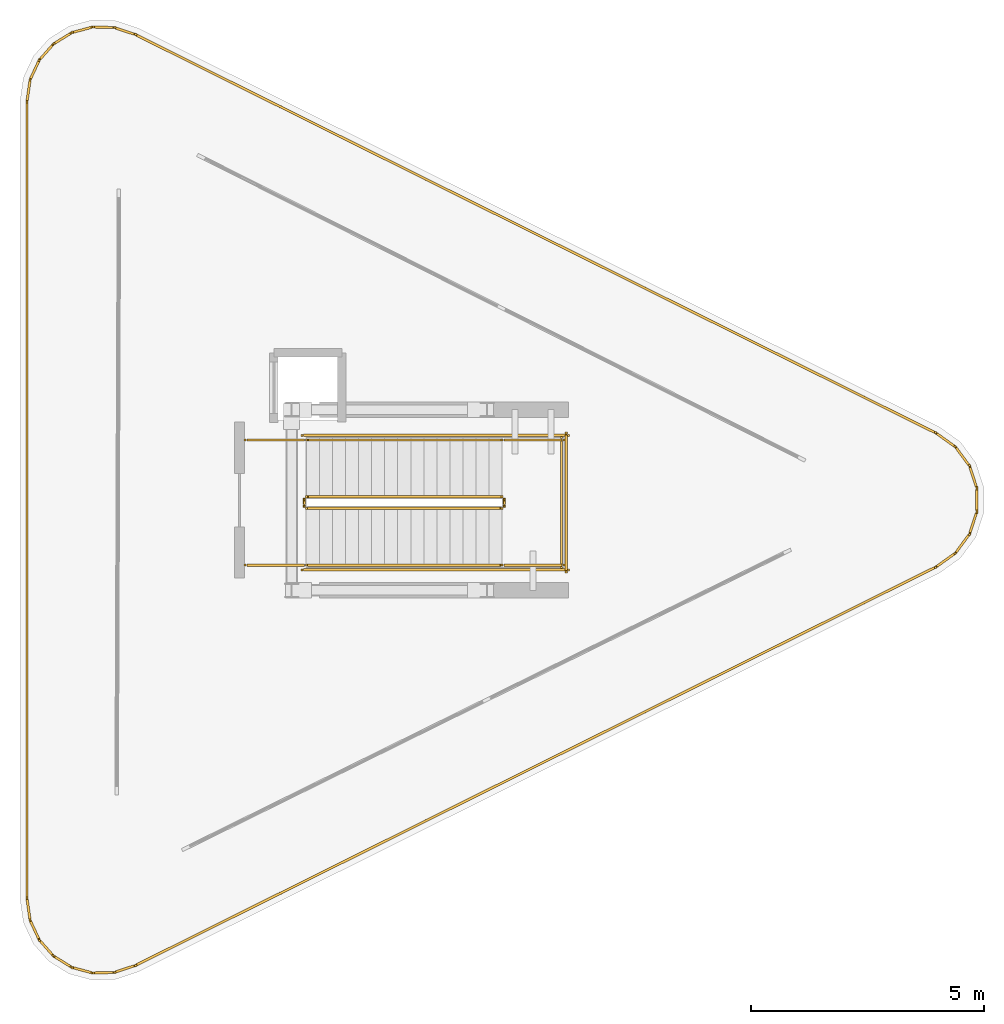
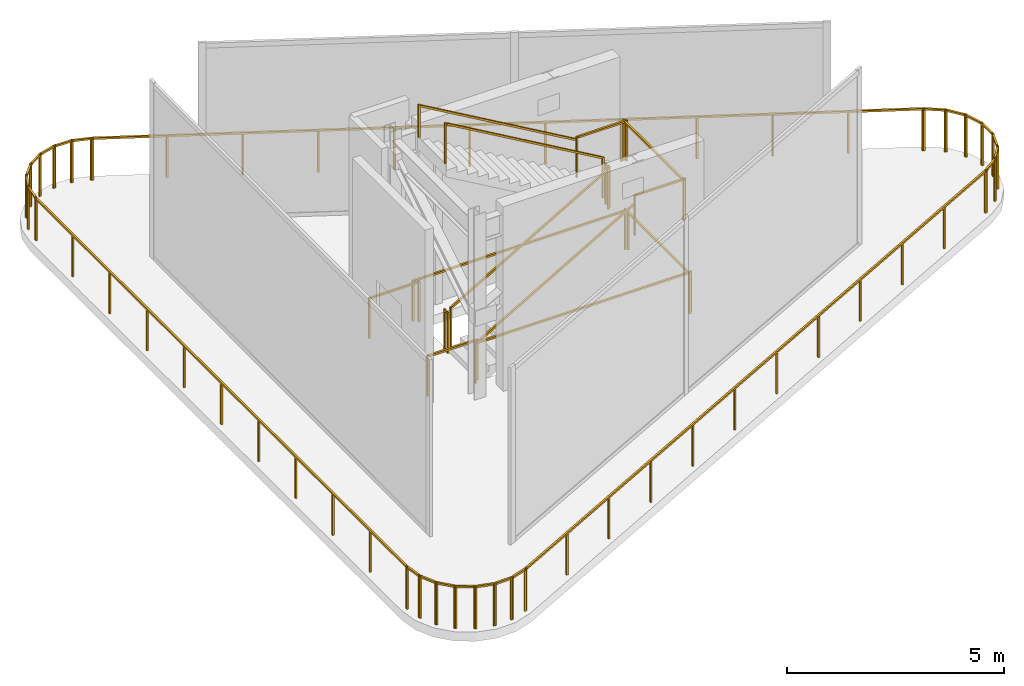
# One storey, part 3 of 3: 38 railings.
"""IFC4 building model written with IfcOpenShell, lengths in metres."""

from ifc_helpers import new_model, si_unit, direction, frame, origin, origin_2d, place, context, subcontext, project, spatial, rectangle, extrude, material, type_object, element, save


model = new_model("IFC4")

# Units and contexts
model_context = context("Model", 3, precision=1e-05, world=origin(), true_north=direction((0.0, 1.0)))
body_context = subcontext(model_context, "Body", "Model", "MODEL_VIEW")
ifc_project = project(units=[si_unit("LENGTHUNIT", "METRE"), si_unit("AREAUNIT", "SQUARE_METRE"), si_unit("VOLUMEUNIT", "CUBIC_METRE"), si_unit("PLANEANGLEUNIT", "RADIAN"), si_unit("MASSUNIT", "GRAM", prefix="KILO")], contexts=[model_context])

# Site, building, storey
site_placement = place(None, origin())
site = spatial("IfcSite", under=ifc_project, at=site_placement, CompositionType="ELEMENT")
building_placement = place(site_placement, origin())
building = spatial("IfcBuilding", under=site, at=building_placement, Name="Yunling Apex Tower", CompositionType="ELEMENT")
storey_placement = place(building_placement, frame((0.0, 0.0, 333.449951171875)))
storey = spatial("IfcBuildingStorey", under=building, at=storey_placement, Name="C04", CompositionType="ELEMENT", Elevation=333.449951171875)

# Railings
ifc_material_1 = material(Name="Bronze anodised aluminium", Category="aluminium")
railing_type_1 = type_object("IfcRailingType", Name="RL-BAL-1200", PredefinedType="BALUSTRADE", material=ifc_material_1)
railing_1_placement = place(storey_placement, frame((-7.485107421875, -8.578369140625, 0.0)))
element("IfcRailing", 1, at=railing_1_placement, inside=storey, type_object=railing_type_1, Name="RL-CRN-PERIM-C04-01", PredefinedType="BALUSTRADE", context=body_context, shape_type="SweptSolid", body=[
    extrude(rectangle(XDim=0.0439453125, YDim=0.0439453125, at=origin_2d()), origin(), (0.0, 0.0, 1.0), 1.199951171875),
    extrude(rectangle(XDim=0.0439453125, YDim=0.0439453125, at=origin_2d()), frame((0.0, 17.15673828125, 0.0)), (0.0, 0.0, 1.0), 1.199951171875),
    extrude(rectangle(XDim=0.050048828125, YDim=0.050048828125, at=origin_2d()), frame((0.0, 0.038330078125, 1.1748046875), z_axis=(0.0, 1.0, 0.0), x_axis=(-1.0, 0.0, 0.0)), (0.0, 0.0, 1.0), 17.080078125),
    extrude(rectangle(XDim=0.0439453125, YDim=0.0439453125, at=origin_2d()), frame((0.0, 1.715576171875, 0.0)), (0.0, 0.0, 1.0), 1.14599609375),
    extrude(rectangle(XDim=0.0439453125, YDim=0.0439453125, at=origin_2d()), frame((0.0, 3.431396484375, 0.0)), (0.0, 0.0, 1.0), 1.14599609375),
    extrude(rectangle(XDim=0.0439453125, YDim=0.0439453125, at=origin_2d()), frame((0.0, 5.14697265625, 0.0)), (0.0, 0.0, 1.0), 1.14599609375),
    extrude(rectangle(XDim=0.0439453125, YDim=0.0439453125, at=origin_2d()), frame((0.0, 6.86279296875, 0.0)), (0.0, 0.0, 1.0), 1.14599609375),
    extrude(rectangle(XDim=0.0439453125, YDim=0.0439453125, at=origin_2d()), frame((0.0, 8.578369140625, 0.0)), (0.0, 0.0, 1.0), 1.14599609375),
    extrude(rectangle(XDim=0.0439453125, YDim=0.0439453125, at=origin_2d()), frame((0.0, 10.2939453125, 0.0)), (0.0, 0.0, 1.0), 1.14599609375),
    extrude(rectangle(XDim=0.0439453125, YDim=0.0439453125, at=origin_2d()), frame((0.0, 12.009765625, 0.0)), (0.0, 0.0, 1.0), 1.14599609375),
    extrude(rectangle(XDim=0.0439453125, YDim=0.0439453125, at=origin_2d()), frame((0.0, 13.725341796875, 0.0)), (0.0, 0.0, 1.0), 1.14599609375),
    extrude(rectangle(XDim=0.0439453125, YDim=0.0439453125, at=origin_2d()), frame((0.0, 15.441162109375, 0.0)), (0.0, 0.0, 1.0), 1.14599609375),
])
railing_2_placement = place(storey_placement, frame((-7.4873046875, 8.54833984375, 0.0)))
element("IfcRailing", 2, at=railing_2_placement, inside=storey, type_object=railing_type_1, Name="RL-CRN-PERIM-C04-02", PredefinedType="BALUSTRADE", context=body_context, shape_type="SweptSolid", body=[
    extrude(rectangle(XDim=0.0439453125, YDim=0.0439453125, at=origin_2d()), origin(), (0.0, 0.0, 1.0), 1.199951171875),
    extrude(rectangle(XDim=0.0439453125, YDim=0.0439453125, at=origin_2d()), frame((0.072998046875, 0.498291015625, 0.0)), (0.0, 0.0, 1.0), 1.199951171875),
    extrude(rectangle(XDim=0.050048828125, YDim=0.050048828125, at=origin_2d()), frame((0.005615234375, 0.037841796875, 1.1748046875), z_axis=(0.144949666815, 0.989439030001, 0.0), x_axis=(-0.989439030001, 0.144949666815, 0.0)), (0.0, 0.0, 1.0), 0.427001953125),
])
railing_3_placement = place(storey_placement, frame((-7.4228515625, 9.018310546875, 0.0)))
element("IfcRailing", 3, at=railing_3_placement, inside=storey, type_object=railing_type_1, Name="RL-CRN-PERIM-C04-03", PredefinedType="BALUSTRADE", context=body_context, shape_type="SweptSolid", body=[
    extrude(rectangle(XDim=0.0439453125, YDim=0.0439453125, at=origin_2d()), origin(), (0.0, 0.0, 1.0), 1.199951171875),
    extrude(rectangle(XDim=0.0439453125, YDim=0.0439453125, at=origin_2d()), frame((0.207763671875, 0.446533203125, 0.0)), (0.0, 0.0, 1.0), 1.199951171875),
    extrude(rectangle(XDim=0.050048828125, YDim=0.050048828125, at=origin_2d()), frame((0.01611328125, 0.03466796875, 1.1748046875), z_axis=(0.421853958365, 0.906663795357, 0.0), x_axis=(-0.906663795357, 0.421853958365, 0.0)), (0.0, 0.0, 1.0), 0.415771484375),
])
railing_4_placement = place(storey_placement, frame((-7.231201171875, 9.43994140625, 0.0)))
element("IfcRailing", 4, at=railing_4_placement, inside=storey, type_object=railing_type_1, Name="RL-CRN-PERIM-C04-04", PredefinedType="BALUSTRADE", context=body_context, shape_type="SweptSolid", body=[
    extrude(rectangle(XDim=0.0439453125, YDim=0.0439453125, at=origin_2d()), origin(), (0.0, 0.0, 1.0), 1.199951171875),
    extrude(rectangle(XDim=0.0439453125, YDim=0.0439453125, at=origin_2d()), frame((0.326904296875, 0.368408203125, 0.0)), (0.0, 0.0, 1.0), 1.199951171875),
    extrude(rectangle(XDim=0.050048828125, YDim=0.050048828125, at=origin_2d()), frame((0.025390625, 0.028564453125, 1.1748046875), z_axis=(0.663717495437, 0.747983346239, 0.0), x_axis=(-0.747983346239, 0.663717495437, 0.0)), (0.0, 0.0, 1.0), 0.415771484375),
])
railing_5_placement = place(storey_placement, frame((-6.927001953125, 9.789306640625, 0.0)))
element("IfcRailing", 5, at=railing_5_placement, inside=storey, type_object=railing_type_1, Name="RL-CRN-PERIM-C04-05", PredefinedType="BALUSTRADE", context=body_context, shape_type="SweptSolid", body=[
    extrude(rectangle(XDim=0.0439453125, YDim=0.0439453125, at=origin_2d()), origin(), (0.0, 0.0, 1.0), 1.199951171875),
    extrude(rectangle(XDim=0.0439453125, YDim=0.0439453125, at=origin_2d()), frame((0.418701171875, 0.25927734375, 0.0)), (0.0, 0.0, 1.0), 1.199951171875),
    extrude(rectangle(XDim=0.050048828125, YDim=0.050048828125, at=origin_2d()), frame((0.032470703125, 0.020263671875, 1.1748046875), z_axis=(0.850191183893, 0.526474074224, 0.0), x_axis=(-0.526474074224, 0.850191183893, 0.0)), (0.0, 0.0, 1.0), 0.415771484375),
])
railing_6_placement = place(storey_placement, frame((-6.53564453125, 10.03662109375, 0.0)))
element("IfcRailing", 6, at=railing_6_placement, inside=storey, type_object=railing_type_1, Name="RL-CRN-PERIM-C04-06", PredefinedType="BALUSTRADE", context=body_context, shape_type="SweptSolid", body=[
    extrude(rectangle(XDim=0.0439453125, YDim=0.0439453125, at=origin_2d()), origin(), (0.0, 0.0, 1.0), 1.199951171875),
    extrude(rectangle(XDim=0.0439453125, YDim=0.0439453125, at=origin_2d()), frame((0.4755859375, 0.128662109375, 0.0)), (0.0, 0.0, 1.0), 1.199951171875),
    extrude(rectangle(XDim=0.050048828125, YDim=0.050048828125, at=origin_2d()), frame((0.037109375, 0.010009765625, 1.1748046875), z_axis=(0.965299271753, 0.261146158221, 0.0), x_axis=(-0.261146158221, 0.965299271753, 0.0)), (0.0, 0.0, 1.0), 0.416015625),
])
railing_7_placement = place(storey_placement, frame((-6.089599609375, 10.161865234375, 0.0)))
element("IfcRailing", 7, at=railing_7_placement, inside=storey, type_object=railing_type_1, Name="RL-CRN-PERIM-C04-07", PredefinedType="BALUSTRADE", context=body_context, shape_type="SweptSolid", body=[
    extrude(rectangle(XDim=0.0439453125, YDim=0.0439453125, at=origin_2d()), origin(), (0.0, 0.0, 1.0), 1.199951171875),
    extrude(rectangle(XDim=0.0439453125, YDim=0.0439453125, at=origin_2d()), frame((0.4921875, -0.01318359375, 0.0)), (0.0, 0.0, 1.0), 1.199951171875),
    extrude(rectangle(XDim=0.050048828125, YDim=0.050048828125, at=origin_2d()), frame((0.038330078125, -0.0009765625, 1.1748046875), z_axis=(0.999641455678, -0.02677611042, 0.0), x_axis=(0.02677611042, 0.999641455678, 0.0)), (0.0, 0.0, 1.0), 0.415771484375),
])
railing_8_placement = place(storey_placement, frame((-5.62646484375, 10.15380859375, 0.0)))
element("IfcRailing", 8, at=railing_8_placement, inside=storey, type_object=railing_type_1, Name="RL-CRN-PERIM-C04-08", PredefinedType="BALUSTRADE", context=body_context, shape_type="SweptSolid", body=[
    extrude(rectangle(XDim=0.0439453125, YDim=0.0439453125, at=origin_2d()), origin(), (0.0, 0.0, 1.0), 1.199951171875),
    extrude(rectangle(XDim=0.0439453125, YDim=0.0439453125, at=origin_2d()), frame((0.478271484375, -0.15673828125, 0.0)), (0.0, 0.0, 1.0), 1.199951171875),
    extrude(rectangle(XDim=0.050048828125, YDim=0.050048828125, at=origin_2d()), frame((0.036376953125, -0.011962890625, 1.1748046875), z_axis=(0.950271907538, -0.31142142146, 0.0), x_axis=(0.31142142146, 0.950271907538, 0.0)), (0.0, 0.0, 1.0), 0.4267578125),
])
railing_9_placement = place(storey_placement, frame((-5.17578125, 10.00830078125, 0.0)))
element("IfcRailing", 9, at=railing_9_placement, inside=storey, type_object=railing_type_1, Name="RL-CRN-PERIM-C04-09", PredefinedType="BALUSTRADE", context=body_context, shape_type="SweptSolid", body=[
    extrude(rectangle(XDim=0.0439453125, YDim=0.0439453125, at=origin_2d()), origin(), (0.0, 0.0, 1.0), 1.199951171875),
    extrude(rectangle(XDim=0.0439453125, YDim=0.0439453125, at=origin_2d()), frame((17.23388671875, -8.577392578125, 0.0)), (0.0, 0.0, 1.0), 1.199951171875),
    extrude(rectangle(XDim=0.050048828125, YDim=0.050048828125, at=origin_2d()), frame((0.034423828125, -0.01708984375, 1.1748046875), z_axis=(0.895247497454, -0.445569207084, 0.0), x_axis=(0.445569207084, 0.895247497454, 0.0)), (0.0, 0.0, 1.0), 19.173828125),
    extrude(rectangle(XDim=0.0439453125, YDim=0.0439453125, at=origin_2d()), frame((1.566650390625, -0.77978515625, 0.0)), (0.0, 0.0, 1.0), 1.14599609375),
    extrude(rectangle(XDim=0.0439453125, YDim=0.0439453125, at=origin_2d()), frame((3.133544921875, -1.5595703125, 0.0)), (0.0, 0.0, 1.0), 1.14599609375),
    extrude(rectangle(XDim=0.0439453125, YDim=0.0439453125, at=origin_2d()), frame((4.7001953125, -2.33935546875, 0.0)), (0.0, 0.0, 1.0), 1.14599609375),
    extrude(rectangle(XDim=0.0439453125, YDim=0.0439453125, at=origin_2d()), frame((6.266845703125, -3.119140625, 0.0)), (0.0, 0.0, 1.0), 1.14599609375),
    extrude(rectangle(XDim=0.0439453125, YDim=0.0439453125, at=origin_2d()), frame((7.83349609375, -3.89892578125, 0.0)), (0.0, 0.0, 1.0), 1.14599609375),
    extrude(rectangle(XDim=0.0439453125, YDim=0.0439453125, at=origin_2d()), frame((9.400390625, -4.678466796875, 0.0)), (0.0, 0.0, 1.0), 1.14599609375),
    extrude(rectangle(XDim=0.0439453125, YDim=0.0439453125, at=origin_2d()), frame((10.967041015625, -5.458251953125, 0.0)), (0.0, 0.0, 1.0), 1.14599609375),
    extrude(rectangle(XDim=0.0439453125, YDim=0.0439453125, at=origin_2d()), frame((12.53369140625, -6.238037109375, 0.0)), (0.0, 0.0, 1.0), 1.14599609375),
    extrude(rectangle(XDim=0.0439453125, YDim=0.0439453125, at=origin_2d()), frame((14.100341796875, -7.017822265625, 0.0)), (0.0, 0.0, 1.0), 1.14599609375),
    extrude(rectangle(XDim=0.0439453125, YDim=0.0439453125, at=origin_2d()), frame((15.667236328125, -7.797607421875, 0.0)), (0.0, 0.0, 1.0), 1.14599609375),
])
railing_10_placement = place(storey_placement, frame((12.032470703125, 1.4462890625, 0.0)))
element("IfcRailing", 10, at=railing_10_placement, inside=storey, type_object=railing_type_1, Name="RL-CRN-PERIM-C04-10", PredefinedType="BALUSTRADE", context=body_context, shape_type="SweptSolid", body=[
    extrude(rectangle(XDim=0.0439453125, YDim=0.0439453125, at=origin_2d()), origin(), (0.0, 0.0, 1.0), 1.199951171875),
    extrude(rectangle(XDim=0.0439453125, YDim=0.0439453125, at=origin_2d()), frame((0.444580078125, -0.3173828125, 0.0)), (0.0, 0.0, 1.0), 1.199951171875),
    extrude(rectangle(XDim=0.050048828125, YDim=0.050048828125, at=origin_2d()), frame((0.03125, -0.022216796875, 1.1748046875), z_axis=(0.813884438235, -0.581026781826, 0.0), x_axis=(0.581026781826, 0.813884438235, 0.0)), (0.0, 0.0, 1.0), 0.469482421875),
])
railing_11_placement = place(storey_placement, frame((12.455810546875, 1.149658203125, 0.0)))
element("IfcRailing", 11, at=railing_11_placement, inside=storey, type_object=railing_type_1, Name="RL-CRN-PERIM-C04-11", PredefinedType="BALUSTRADE", context=body_context, shape_type="SweptSolid", body=[
    extrude(rectangle(XDim=0.0439453125, YDim=0.0439453125, at=origin_2d()), origin(), (0.0, 0.0, 1.0), 1.199951171875),
    extrude(rectangle(XDim=0.0439453125, YDim=0.0439453125, at=origin_2d()), frame((0.31640625, -0.430419921875, 0.0)), (0.0, 0.0, 1.0), 1.199951171875),
    extrude(rectangle(XDim=0.050048828125, YDim=0.050048828125, at=origin_2d()), frame((0.022705078125, -0.03076171875, 1.1748046875), z_axis=(0.592294475199, -0.805721573901, 0.0), x_axis=(0.805721573901, 0.592294475199, 0.0)), (0.0, 0.0, 1.0), 0.45751953125),
])
railing_12_placement = place(storey_placement, frame((12.7587890625, 0.74560546875, 0.0)))
element("IfcRailing", 12, at=railing_12_placement, inside=storey, type_object=railing_type_1, Name="RL-CRN-PERIM-C04-12", PredefinedType="BALUSTRADE", context=body_context, shape_type="SweptSolid", body=[
    extrude(rectangle(XDim=0.0439453125, YDim=0.0439453125, at=origin_2d()), origin(), (0.0, 0.0, 1.0), 1.199951171875),
    extrude(rectangle(XDim=0.0439453125, YDim=0.0439453125, at=origin_2d()), frame((0.16650390625, -0.5078125, 0.0)), (0.0, 0.0, 1.0), 1.199951171875),
    extrude(rectangle(XDim=0.050048828125, YDim=0.050048828125, at=origin_2d()), frame((0.011962890625, -0.036376953125, 1.1748046875), z_axis=(0.311564193614, -0.950225106623, 0.0), x_axis=(0.950225106623, 0.311564193614, 0.0)), (0.0, 0.0, 1.0), 0.457763671875),
])
railing_13_placement = place(storey_placement, frame((12.92041015625, 0.26708984375, 0.0)))
element("IfcRailing", 13, at=railing_13_placement, inside=storey, type_object=railing_type_1, Name="RL-CRN-PERIM-C04-13", PredefinedType="BALUSTRADE", context=body_context, shape_type="SweptSolid", body=[
    extrude(rectangle(XDim=0.0439453125, YDim=0.0439453125, at=origin_2d()), origin(), (0.0, 0.0, 1.0), 1.199951171875),
    extrude(rectangle(XDim=0.0439453125, YDim=0.0439453125, at=origin_2d()), frame((0.0, -0.5341796875, 0.0)), (0.0, 0.0, 1.0), 1.199951171875),
    extrude(rectangle(XDim=0.050048828125, YDim=0.050048828125, at=origin_2d()), frame((0.0, -0.038330078125, 1.1748046875), z_axis=(0.0, -1.0, 0.0), x_axis=(1.0, 0.0, 0.0)), (0.0, 0.0, 1.0), 0.45751953125),
])
railing_14_placement = place(storey_placement, frame((12.92529296875, -0.23779296875, 0.0)))
element("IfcRailing", 14, at=railing_14_placement, inside=storey, type_object=railing_type_1, Name="RL-CRN-PERIM-C04-14", PredefinedType="BALUSTRADE", context=body_context, shape_type="SweptSolid", body=[
    extrude(rectangle(XDim=0.0439453125, YDim=0.0439453125, at=origin_2d()), origin(), (0.0, 0.0, 1.0), 1.199951171875),
    extrude(rectangle(XDim=0.0439453125, YDim=0.0439453125, at=origin_2d()), frame((-0.16650390625, -0.5078125, 0.0)), (0.0, 0.0, 1.0), 1.199951171875),
    extrude(rectangle(XDim=0.050048828125, YDim=0.050048828125, at=origin_2d()), frame((-0.011962890625, -0.036376953125, 1.1748046875), z_axis=(-0.311564193614, -0.950225106623, 0.0), x_axis=(0.950225106623, -0.311564193614, 0.0)), (0.0, 0.0, 1.0), 0.457763671875),
])
railing_15_placement = place(storey_placement, frame((12.772216796875, -0.71923828125, 0.0)))
element("IfcRailing", 15, at=railing_15_placement, inside=storey, type_object=railing_type_1, Name="RL-CRN-PERIM-C04-15", PredefinedType="BALUSTRADE", context=body_context, shape_type="SweptSolid", body=[
    extrude(rectangle(XDim=0.0439453125, YDim=0.0439453125, at=origin_2d()), origin(), (0.0, 0.0, 1.0), 1.199951171875),
    extrude(rectangle(XDim=0.0439453125, YDim=0.0439453125, at=origin_2d()), frame((-0.31640625, -0.430419921875, 0.0)), (0.0, 0.0, 1.0), 1.199951171875),
    extrude(rectangle(XDim=0.050048828125, YDim=0.050048828125, at=origin_2d()), frame((-0.022705078125, -0.03076171875, 1.1748046875), z_axis=(-0.592294475199, -0.805721573901, 0.0), x_axis=(0.805721573901, -0.592294475199, 0.0)), (0.0, 0.0, 1.0), 0.45751953125),
])
railing_16_placement = place(storey_placement, frame((12.47705078125, -1.12890625, 0.0)))
element("IfcRailing", 16, at=railing_16_placement, inside=storey, type_object=railing_type_1, Name="RL-CRN-PERIM-C04-16", PredefinedType="BALUSTRADE", context=body_context, shape_type="SweptSolid", body=[
    extrude(rectangle(XDim=0.0439453125, YDim=0.0439453125, at=origin_2d()), origin(), (0.0, 0.0, 1.0), 1.199951171875),
    extrude(rectangle(XDim=0.0439453125, YDim=0.0439453125, at=origin_2d()), frame((-0.444580078125, -0.3173828125, 0.0)), (0.0, 0.0, 1.0), 1.199951171875),
    extrude(rectangle(XDim=0.050048828125, YDim=0.050048828125, at=origin_2d()), frame((-0.03125, -0.022216796875, 1.1748046875), z_axis=(-0.813884438235, -0.581026781826, 0.0), x_axis=(0.581026781826, -0.813884438235, 0.0)), (0.0, 0.0, 1.0), 0.469482421875),
])
railing_17_placement = place(storey_placement, frame((12.05810546875, -1.430908203125, 0.0)))
element("IfcRailing", 17, at=railing_17_placement, inside=storey, type_object=railing_type_1, Name="RL-CRN-PERIM-C04-17", PredefinedType="BALUSTRADE", context=body_context, shape_type="SweptSolid", body=[
    extrude(rectangle(XDim=0.0439453125, YDim=0.0439453125, at=origin_2d()), origin(), (0.0, 0.0, 1.0), 1.199951171875),
    extrude(rectangle(XDim=0.0439453125, YDim=0.0439453125, at=origin_2d()), frame((-17.23388671875, -8.577392578125, 0.0)), (0.0, 0.0, 1.0), 1.199951171875),
    extrude(rectangle(XDim=0.050048828125, YDim=0.050048828125, at=origin_2d()), frame((-0.034423828125, -0.01708984375, 1.1748046875), z_axis=(-0.895247497454, -0.445569207084, 0.0), x_axis=(0.445569207084, -0.895247497454, 0.0)), (0.0, 0.0, 1.0), 19.173828125),
    extrude(rectangle(XDim=0.0439453125, YDim=0.0439453125, at=origin_2d()), frame((-1.566650390625, -0.77978515625, 0.0)), (0.0, 0.0, 1.0), 1.14599609375),
    extrude(rectangle(XDim=0.0439453125, YDim=0.0439453125, at=origin_2d()), frame((-3.133544921875, -1.5595703125, 0.0)), (0.0, 0.0, 1.0), 1.14599609375),
    extrude(rectangle(XDim=0.0439453125, YDim=0.0439453125, at=origin_2d()), frame((-4.7001953125, -2.33935546875, 0.0)), (0.0, 0.0, 1.0), 1.14599609375),
    extrude(rectangle(XDim=0.0439453125, YDim=0.0439453125, at=origin_2d()), frame((-6.266845703125, -3.119140625, 0.0)), (0.0, 0.0, 1.0), 1.14599609375),
    extrude(rectangle(XDim=0.0439453125, YDim=0.0439453125, at=origin_2d()), frame((-7.83349609375, -3.89892578125, 0.0)), (0.0, 0.0, 1.0), 1.14599609375),
    extrude(rectangle(XDim=0.0439453125, YDim=0.0439453125, at=origin_2d()), frame((-9.400390625, -4.678466796875, 0.0)), (0.0, 0.0, 1.0), 1.14599609375),
    extrude(rectangle(XDim=0.0439453125, YDim=0.0439453125, at=origin_2d()), frame((-10.967041015625, -5.458251953125, 0.0)), (0.0, 0.0, 1.0), 1.14599609375),
    extrude(rectangle(XDim=0.0439453125, YDim=0.0439453125, at=origin_2d()), frame((-12.53369140625, -6.238037109375, 0.0)), (0.0, 0.0, 1.0), 1.14599609375),
    extrude(rectangle(XDim=0.0439453125, YDim=0.0439453125, at=origin_2d()), frame((-14.100341796875, -7.017822265625, 0.0)), (0.0, 0.0, 1.0), 1.14599609375),
    extrude(rectangle(XDim=0.0439453125, YDim=0.0439453125, at=origin_2d()), frame((-15.667236328125, -7.797607421875, 0.0)), (0.0, 0.0, 1.0), 1.14599609375),
])
railing_18_placement = place(storey_placement, frame((-5.148193359375, -9.9970703125, 0.0)))
element("IfcRailing", 18, at=railing_18_placement, inside=storey, type_object=railing_type_1, Name="RL-CRN-PERIM-C04-18", PredefinedType="BALUSTRADE", context=body_context, shape_type="SweptSolid", body=[
    extrude(rectangle(XDim=0.0439453125, YDim=0.0439453125, at=origin_2d()), origin(), (0.0, 0.0, 1.0), 1.199951171875),
    extrude(rectangle(XDim=0.0439453125, YDim=0.0439453125, at=origin_2d()), frame((-0.478271484375, -0.15673828125, 0.0)), (0.0, 0.0, 1.0), 1.199951171875),
    extrude(rectangle(XDim=0.050048828125, YDim=0.050048828125, at=origin_2d()), frame((-0.036376953125, -0.011962890625, 1.1748046875), z_axis=(-0.950271907538, -0.31142142146, 0.0), x_axis=(0.31142142146, -0.950271907538, 0.0)), (0.0, 0.0, 1.0), 0.4267578125),
])
railing_19_placement = place(storey_placement, frame((-5.597412109375, -10.148681640625, 0.0)))
element("IfcRailing", 19, at=railing_19_placement, inside=storey, type_object=railing_type_1, Name="RL-CRN-PERIM-C04-19", PredefinedType="BALUSTRADE", context=body_context, shape_type="SweptSolid", body=[
    extrude(rectangle(XDim=0.0439453125, YDim=0.0439453125, at=origin_2d()), origin(), (0.0, 0.0, 1.0), 1.199951171875),
    extrude(rectangle(XDim=0.0439453125, YDim=0.0439453125, at=origin_2d()), frame((-0.4921875, -0.01318359375, 0.0)), (0.0, 0.0, 1.0), 1.199951171875),
    extrude(rectangle(XDim=0.050048828125, YDim=0.050048828125, at=origin_2d()), frame((-0.038330078125, -0.0009765625, 1.1748046875), z_axis=(-0.999641455678, -0.02677611042, 0.0), x_axis=(0.02677611042, -0.999641455678, 0.0)), (0.0, 0.0, 1.0), 0.415771484375),
])
railing_20_placement = place(storey_placement, frame((-6.06005859375, -10.165283203125, 0.0)))
element("IfcRailing", 20, at=railing_20_placement, inside=storey, type_object=railing_type_1, Name="RL-CRN-PERIM-C04-20", PredefinedType="BALUSTRADE", context=body_context, shape_type="SweptSolid", body=[
    extrude(rectangle(XDim=0.0439453125, YDim=0.0439453125, at=origin_2d()), origin(), (0.0, 0.0, 1.0), 1.199951171875),
    extrude(rectangle(XDim=0.0439453125, YDim=0.0439453125, at=origin_2d()), frame((-0.4755859375, 0.128662109375, 0.0)), (0.0, 0.0, 1.0), 1.199951171875),
    extrude(rectangle(XDim=0.050048828125, YDim=0.050048828125, at=origin_2d()), frame((-0.037109375, 0.010009765625, 1.1748046875), z_axis=(-0.965299271753, 0.261146158221, 0.0), x_axis=(-0.261146158221, -0.965299271753, 0.0)), (0.0, 0.0, 1.0), 0.416015625),
])
railing_21_placement = place(storey_placement, frame((-6.50830078125, -10.048583984375, 0.0)))
element("IfcRailing", 21, at=railing_21_placement, inside=storey, type_object=railing_type_1, Name="RL-CRN-PERIM-C04-21", PredefinedType="BALUSTRADE", context=body_context, shape_type="SweptSolid", body=[
    extrude(rectangle(XDim=0.0439453125, YDim=0.0439453125, at=origin_2d()), origin(), (0.0, 0.0, 1.0), 1.199951171875),
    extrude(rectangle(XDim=0.0439453125, YDim=0.0439453125, at=origin_2d()), frame((-0.418701171875, 0.25927734375, 0.0)), (0.0, 0.0, 1.0), 1.199951171875),
    extrude(rectangle(XDim=0.050048828125, YDim=0.050048828125, at=origin_2d()), frame((-0.032470703125, 0.020263671875, 1.1748046875), z_axis=(-0.850191183893, 0.526474074224, 0.0), x_axis=(-0.526474074224, -0.850191183893, 0.0)), (0.0, 0.0, 1.0), 0.415771484375),
])
railing_22_placement = place(storey_placement, frame((-6.904296875, -9.808349609375, 0.0)))
element("IfcRailing", 22, at=railing_22_placement, inside=storey, type_object=railing_type_1, Name="RL-CRN-PERIM-C04-22", PredefinedType="BALUSTRADE", context=body_context, shape_type="SweptSolid", body=[
    extrude(rectangle(XDim=0.0439453125, YDim=0.0439453125, at=origin_2d()), origin(), (0.0, 0.0, 1.0), 1.199951171875),
    extrude(rectangle(XDim=0.0439453125, YDim=0.0439453125, at=origin_2d()), frame((-0.326904296875, 0.368408203125, 0.0)), (0.0, 0.0, 1.0), 1.199951171875),
    extrude(rectangle(XDim=0.050048828125, YDim=0.050048828125, at=origin_2d()), frame((-0.025390625, 0.028564453125, 1.1748046875), z_axis=(-0.663717495437, 0.747983346239, 0.0), x_axis=(-0.747983346239, -0.663717495437, 0.0)), (0.0, 0.0, 1.0), 0.415771484375),
])
railing_23_placement = place(storey_placement, frame((-7.215087890625, -9.46484375, 0.0)))
element("IfcRailing", 23, at=railing_23_placement, inside=storey, type_object=railing_type_1, Name="RL-CRN-PERIM-C04-23", PredefinedType="BALUSTRADE", context=body_context, shape_type="SweptSolid", body=[
    extrude(rectangle(XDim=0.0439453125, YDim=0.0439453125, at=origin_2d()), origin(), (0.0, 0.0, 1.0), 1.199951171875),
    extrude(rectangle(XDim=0.0439453125, YDim=0.0439453125, at=origin_2d()), frame((-0.207763671875, 0.446533203125, 0.0)), (0.0, 0.0, 1.0), 1.199951171875),
    extrude(rectangle(XDim=0.050048828125, YDim=0.050048828125, at=origin_2d()), frame((-0.01611328125, 0.03466796875, 1.1748046875), z_axis=(-0.421853958365, 0.906663795357, 0.0), x_axis=(-0.906663795357, -0.421853958365, 0.0)), (0.0, 0.0, 1.0), 0.415771484375),
])
railing_24_placement = place(storey_placement, frame((-7.414306640625, -9.046630859375, 0.0)))
element("IfcRailing", 24, at=railing_24_placement, inside=storey, type_object=railing_type_1, Name="RL-CRN-PERIM-C04-24", PredefinedType="BALUSTRADE", context=body_context, shape_type="SweptSolid", body=[
    extrude(rectangle(XDim=0.0439453125, YDim=0.0439453125, at=origin_2d()), origin(), (0.0, 0.0, 1.0), 1.199951171875),
    extrude(rectangle(XDim=0.0439453125, YDim=0.0439453125, at=origin_2d()), frame((-0.072998046875, 0.498291015625, 0.0)), (0.0, 0.0, 1.0), 1.199951171875),
    extrude(rectangle(XDim=0.050048828125, YDim=0.050048828125, at=origin_2d()), frame((-0.005615234375, 0.037841796875, 1.1748046875), z_axis=(-0.144949666815, 0.989439030001, 0.0), x_axis=(-0.989439030001, -0.144949666815, 0.0)), (0.0, 0.0, 1.0), 0.427001953125),
])
ifc_material_2 = material(Name="Steel Q355B", Category="steel")
railing_type_2 = type_object("IfcRailingType", Name="RL-GRD-1150", PredefinedType="GUARDRAIL", material=ifc_material_2)
railing_25_placement = place(storey_placement, frame((-1.47998046875, -0.179931640625, 0.16259765625)))
element("IfcRailing", 25, at=railing_25_placement, inside=storey, type_object=railing_type_2, Name="C04 ST-C1 stair guard 1", PredefinedType="GUARDRAIL", context=body_context, shape_type="SweptSolid", body=[
    extrude(rectangle(XDim=0.0439453125, YDim=0.0439453125, at=origin_2d()), origin(), (0.0, 0.0, 1.0), 1.14990234375),
    extrude(rectangle(XDim=0.0439453125, YDim=0.0439453125, at=origin_2d()), frame((4.199951171875, 0.0, 2.4375)), (0.0, 0.0, 1.0), 1.14990234375),
    extrude(rectangle(XDim=0.050048828125, YDim=0.050048828125, at=origin_2d()), frame((0.033203125, 0.0, 1.14404296875), z_axis=(0.864894565338, 0.0, 0.501953574396), x_axis=(0.0, 1.0, 0.0)), (0.0, 0.0, 1.0), 4.779296875),
])
railing_26_placement = place(storey_placement, frame((2.77001953125, -0.1298828125, 2.60009765625)))
element("IfcRailing", 26, at=railing_26_placement, inside=storey, type_object=railing_type_2, Name="C04 ST-C1 stair guard 2", PredefinedType="GUARDRAIL", context=body_context, shape_type="SweptSolid", body=[
    extrude(rectangle(XDim=0.0439453125, YDim=0.0439453125, at=origin_2d()), origin(), (0.0, 0.0, 1.0), 1.14990234375),
    extrude(rectangle(XDim=0.0439453125, YDim=0.0439453125, at=origin_2d()), frame((0.0, 0.14990234375, 0.0)), (0.0, 0.0, 1.0), 1.14990234375),
    extrude(rectangle(XDim=0.050048828125, YDim=0.050048828125, at=origin_2d()), frame((0.0, 0.038330078125, 1.125), z_axis=(0.0, 1.0, 0.0), x_axis=(-1.0, 0.0, 0.0)), (0.0, 0.0, 1.0), 0.0732421875),
])
for number, where, name in (
    (27, (2.719970703125, -1.39990234375, 2.60009765625), "C04 ST-C1 stair guard 3"),
    (28, (2.719970703125, 1.2900390625, 2.60009765625), "C04 ST-C1 stair guard 4"),
):
    element("IfcRailing", number, at=place(storey_placement, frame(where)), inside=storey, type_object=railing_type_2, Name=name, PredefinedType="GUARDRAIL", context=body_context, shape_type="SweptSolid", body=[
        extrude(rectangle(XDim=0.0439453125, YDim=0.0439453125, at=origin_2d()), origin(), (0.0, 0.0, 1.0), 1.14990234375),
        extrude(rectangle(XDim=0.0439453125, YDim=0.0439453125, at=origin_2d()), frame((1.330078125, 0.0, 0.0)), (0.0, 0.0, 1.0), 1.14990234375),
        extrude(rectangle(XDim=0.050048828125, YDim=0.050048828125, at=origin_2d()), frame((0.038330078125, 0.0, 1.125), z_axis=(1.0, 0.0, 0.0), x_axis=(0.0, 1.0, 0.0)), (0.0, 0.0, 1.0), 1.25341796875),
    ])
railing_27_placement = place(storey_placement, frame((4.0, -1.449951171875, 2.60009765625)))
element("IfcRailing", 29, at=railing_27_placement, inside=storey, type_object=railing_type_2, Name="C04 ST-C1 stair guard 5", PredefinedType="GUARDRAIL", context=body_context, shape_type="SweptSolid", body=[
    extrude(rectangle(XDim=0.0439453125, YDim=0.0439453125, at=origin_2d()), origin(), (0.0, 0.0, 1.0), 1.14990234375),
    extrude(rectangle(XDim=0.0439453125, YDim=0.0439453125, at=origin_2d()), frame((0.0, 2.7900390625, 0.0)), (0.0, 0.0, 1.0), 1.14990234375),
    extrude(rectangle(XDim=0.050048828125, YDim=0.050048828125, at=origin_2d()), frame((0.0, 0.038330078125, 1.125), z_axis=(0.0, 1.0, 0.0), x_axis=(-1.0, 0.0, 0.0)), (0.0, 0.0, 1.0), 2.71337890625),
])
railing_28_placement = place(storey_placement, frame((2.719970703125, 0.070068359375, 2.762451171875)))
element("IfcRailing", 30, at=railing_28_placement, inside=storey, type_object=railing_type_2, Name="C04 ST-C1 stair guard 6", PredefinedType="GUARDRAIL", context=body_context, shape_type="SweptSolid", body=[
    extrude(rectangle(XDim=0.0439453125, YDim=0.0439453125, at=origin_2d()), origin(), (0.0, 0.0, 1.0), 1.14990234375),
    extrude(rectangle(XDim=0.0439453125, YDim=0.0439453125, at=origin_2d()), frame((-4.199951171875, 0.0, 2.4375)), (0.0, 0.0, 1.0), 1.14990234375),
    extrude(rectangle(XDim=0.050048828125, YDim=0.050048828125, at=origin_2d()), frame((-0.033203125, 0.0, 1.14404296875), z_axis=(-0.864894565338, 0.0, 0.501953574396), x_axis=(0.0, -1.0, 0.0)), (0.0, 0.0, 1.0), 4.779296875),
])
railing_29_placement = place(storey_placement, frame((-1.530029296875, -0.1298828125, 0.0)))
element("IfcRailing", 31, at=railing_29_placement, inside=storey, type_object=railing_type_2, Name="C04 ST-C1 stair guard 7", PredefinedType="GUARDRAIL", context=body_context, shape_type="SweptSolid", body=[
    extrude(rectangle(XDim=0.0439453125, YDim=0.0439453125, at=origin_2d()), origin(), (0.0, 0.0, 1.0), 1.14990234375),
    extrude(rectangle(XDim=0.0439453125, YDim=0.0439453125, at=origin_2d()), frame((0.0, 0.14990234375, 0.0)), (0.0, 0.0, 1.0), 1.14990234375),
    extrude(rectangle(XDim=0.050048828125, YDim=0.050048828125, at=origin_2d()), frame((0.0, 0.038330078125, 1.125), z_axis=(0.0, 1.0, 0.0), x_axis=(-1.0, 0.0, 0.0)), (0.0, 0.0, 1.0), 0.0732421875),
])
for number, where, name in (
    (32, (-2.800048828125, -1.39990234375, 0.0), "C04 ST-C1 stair guard 8"),
    (33, (-2.800048828125, 1.2900390625, 0.0), "C04 ST-C1 stair guard 9"),
):
    element("IfcRailing", number, at=place(storey_placement, frame(where)), inside=storey, type_object=railing_type_2, Name=name, PredefinedType="GUARDRAIL", context=body_context, shape_type="SweptSolid", body=[
        extrude(rectangle(XDim=0.0439453125, YDim=0.0439453125, at=origin_2d()), origin(), (0.0, 0.0, 1.0), 1.14990234375),
        extrude(rectangle(XDim=0.0439453125, YDim=0.0439453125, at=origin_2d()), frame((1.320068359375, 0.0, 0.0)), (0.0, 0.0, 1.0), 1.14990234375),
        extrude(rectangle(XDim=0.050048828125, YDim=0.050048828125, at=origin_2d()), frame((0.038330078125, 0.0, 1.125), z_axis=(1.0, 0.0, 0.0), x_axis=(0.0, 1.0, 0.0)), (0.0, 0.0, 1.0), 1.243408203125),
    ])
for number, where, name in (
    (34, (-1.580078125, -1.5, 0.0), "C04 ST-C1 stair guard 10"),
    (35, (-1.580078125, 1.389892578125, 0.0), "C04 ST-C1 stair guard 11"),
):
    element("IfcRailing", number, at=place(storey_placement, frame(where)), inside=storey, type_object=railing_type_2, Name=name, PredefinedType="GUARDRAIL", context=body_context, shape_type="SweptSolid", body=[
        extrude(rectangle(XDim=0.0439453125, YDim=0.0439453125, at=origin_2d()), origin(), (0.0, 0.0, 1.0), 1.14990234375),
        extrude(rectangle(XDim=0.0439453125, YDim=0.0439453125, at=origin_2d()), frame((5.72998046875, 0.0, 0.0)), (0.0, 0.0, 1.0), 1.14990234375),
        extrude(rectangle(XDim=0.050048828125, YDim=0.050048828125, at=origin_2d()), frame((0.038330078125, 0.0, 1.125), z_axis=(1.0, 0.0, 0.0), x_axis=(0.0, 1.0, 0.0)), (0.0, 0.0, 1.0), 5.6533203125),
    ])
railing_30_placement = place(storey_placement, frame((4.10009765625, -1.550048828125, 0.0)))
element("IfcRailing", 36, at=railing_30_placement, inside=storey, type_object=railing_type_2, Name="C04 ST-C1 stair guard 12", PredefinedType="GUARDRAIL", context=body_context, shape_type="SweptSolid", body=[
    extrude(rectangle(XDim=0.0439453125, YDim=0.0439453125, at=origin_2d()), origin(), (0.0, 0.0, 1.0), 1.14990234375),
    extrude(rectangle(XDim=0.0439453125, YDim=0.0439453125, at=origin_2d()), frame((0.0, 2.989990234375, 0.0)), (0.0, 0.0, 1.0), 1.14990234375),
    extrude(rectangle(XDim=0.050048828125, YDim=0.050048828125, at=origin_2d()), frame((0.0, 0.038330078125, 1.125), z_axis=(0.0, 1.0, 0.0), x_axis=(-1.0, 0.0, 0.0)), (0.0, 0.0, 1.0), 2.913330078125),
])
ifc_material_3 = material(Name="Silver anodised aluminium", Category="aluminium")
railing_type_3 = type_object("IfcRailingType", Name="RL-HND-900", PredefinedType="HANDRAIL", material=ifc_material_3)
railing_31_placement = place(storey_placement, frame((-1.47998046875, -1.39990234375, 0.16259765625)))
element("IfcRailing", 37, at=railing_31_placement, inside=storey, type_object=railing_type_3, Name="C04 ST-C1 stair handrail 1", PredefinedType="HANDRAIL", context=body_context, shape_type="SweptSolid", body=[
    extrude(rectangle(XDim=0.0439453125, YDim=0.0439453125, at=origin_2d()), origin(), (0.0, 0.0, 1.0), 0.919921875),
    extrude(rectangle(XDim=0.0439453125, YDim=0.0439453125, at=origin_2d()), frame((4.199951171875, 0.0, 2.4375)), (0.0, 0.0, 1.0), 0.919921875),
    extrude(rectangle(XDim=0.050048828125, YDim=0.050048828125, at=origin_2d()), frame((0.033203125, 0.0, 0.9140625), z_axis=(0.864894565338, 0.0, 0.501953574396), x_axis=(0.0, 1.0, 0.0)), (0.0, 0.0, 1.0), 4.779296875),
])
railing_32_placement = place(storey_placement, frame((2.719970703125, 1.2900390625, 2.762451171875)))
element("IfcRailing", 38, at=railing_32_placement, inside=storey, type_object=railing_type_3, Name="C04 ST-C1 stair handrail 2", PredefinedType="HANDRAIL", context=body_context, shape_type="SweptSolid", body=[
    extrude(rectangle(XDim=0.0439453125, YDim=0.0439453125, at=origin_2d()), origin(), (0.0, 0.0, 1.0), 0.919921875),
    extrude(rectangle(XDim=0.0439453125, YDim=0.0439453125, at=origin_2d()), frame((-4.199951171875, 0.0, 2.4375)), (0.0, 0.0, 1.0), 0.919921875),
    extrude(rectangle(XDim=0.050048828125, YDim=0.050048828125, at=origin_2d()), frame((-0.033203125, 0.0, 0.9140625), z_axis=(-0.864894565338, 0.0, 0.501953574396), x_axis=(0.0, -1.0, 0.0)), (0.0, 0.0, 1.0), 4.779296875),
])

save(model, "model.ifc")
